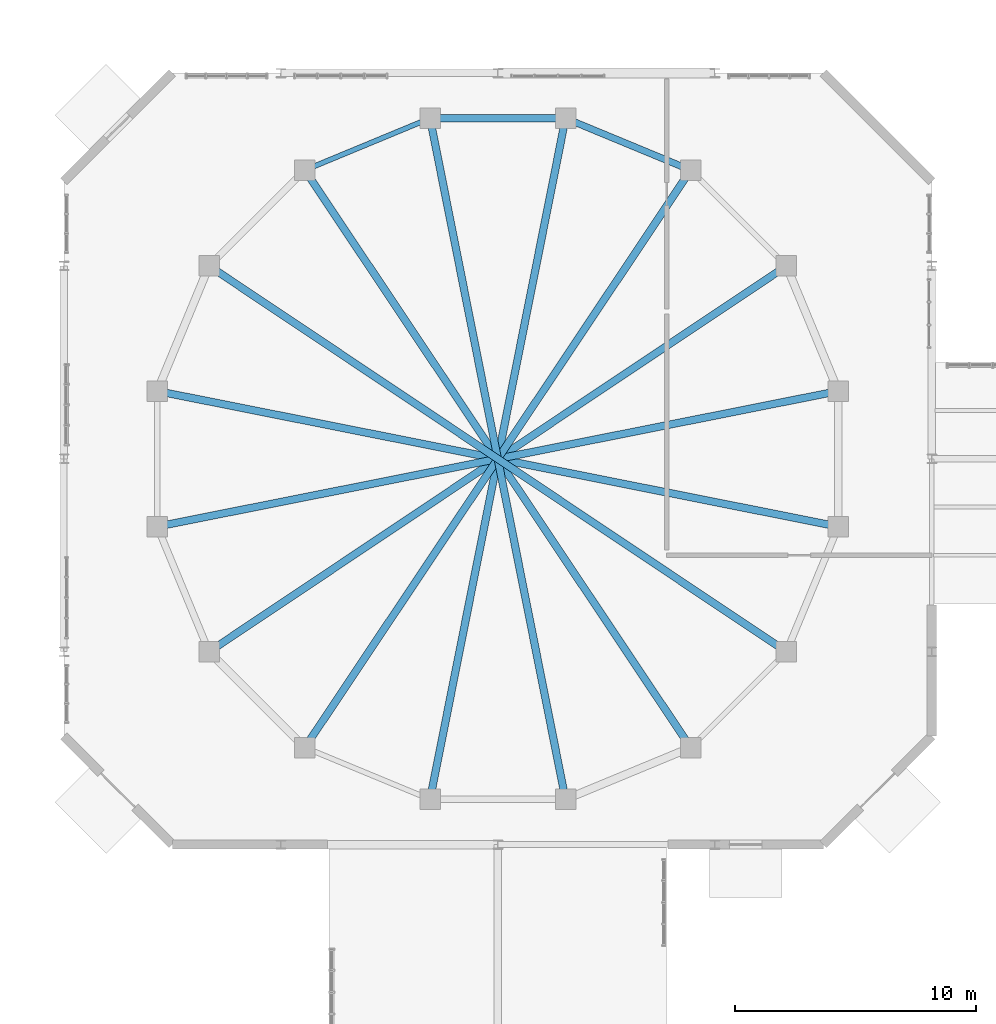
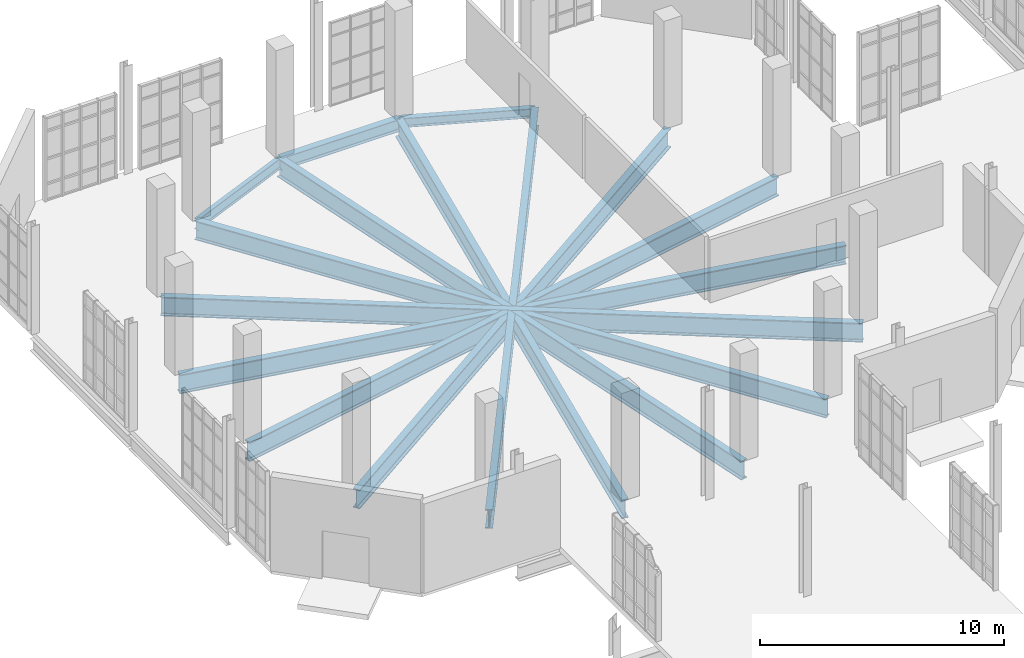
# One storey, part 82 of 189: 11 beams.
"""IFC4 building model written with IfcOpenShell, lengths in metres."""

from ifc_helpers import new_model, si_unit, direction, frame, origin, origin_2d, place, context, subcontext, project, spatial, i_section, extrude, material, material_profile, profile_set, type_object, element, save


model = new_model("IFC4")

# Units and contexts
model_context = context("Model", 3, precision=1e-05, world=origin(), true_north=direction((0.0, 1.0)))
body_context = subcontext(model_context, "Body", "Model", "MODEL_VIEW")
ifc_project = project(units=[si_unit("LENGTHUNIT", "METRE"), si_unit("AREAUNIT", "SQUARE_METRE"), si_unit("VOLUMEUNIT", "CUBIC_METRE"), si_unit("PLANEANGLEUNIT", "RADIAN"), si_unit("MASSUNIT", "GRAM", prefix="KILO"), si_unit("THERMODYNAMICTEMPERATUREUNIT", "KELVIN"), si_unit("POWERUNIT", "WATT")], contexts=[model_context])

# Site, building, storey
site_placement = place(None, origin())
site = spatial("IfcSite", under=ifc_project, at=site_placement, CompositionType="ELEMENT")
building_placement = place(site_placement, origin())
building = spatial("IfcBuilding", under=site, at=building_placement, Name="Zelmaris Science Centre", CompositionType="ELEMENT")
storey_placement = place(building_placement, origin())
storey = spatial("IfcBuildingStorey", under=building, at=storey_placement, Name="L00", CompositionType="ELEMENT", Elevation=0.0)

# Beams
ifc_material = material(Name="Steel ASTM A992 Grade 50", Category="steel")
ifc_material_profile_1 = material_profile(ifc_material, i_section(OverallWidth=0.31005859375, OverallDepth=0.949951171875, WebThickness=0.0244140625, FlangeThickness=0.0439453125, FilletRadius=0.02392578125, at=origin_2d()), Name="W36X256")
ifc_profile_set_1 = profile_set([ifc_material_profile_1], Name="Steel ASTM A992 Grade 50")
beam_type_1 = type_object("IfcBeamType", Name="Beam G-01 W36X256", PredefinedType="BEAM", material=ifc_profile_set_1)
for number, where, z_axis, x_axis, name in (
    (1, (41.123291015625, 74.809326171875, -0.7548828125), (-0.980784896113, -0.195092253964, 0.0), (0.195092253964, -0.980784896113, 0.0), "L00 Planetarium clear-span girder 1"),
    (2, (38.97314453125, 80.000244140625, -0.7548828125), (-0.831468177203, -0.555572380791, 0.0), (0.555572380791, -0.831468177203, 0.0), "L00 Planetarium clear-span girder 2"),
    (3, (35.000244140625, 83.97314453125, -0.7548828125), (-0.555572380791, -0.831468177203, 0.0), (0.831468177203, -0.555572380791, 0.0), "L00 Planetarium clear-span girder 3"),
    (4, (29.809326171875, 86.123291015625, -0.7548828125), (-0.195092253964, -0.980784896113, 0.0), (0.980784896113, -0.195092253964, 0.0), "L00 Planetarium clear-span girder 4"),
    (5, (24.190673828125, 86.123291015625, -0.7548828125), (0.195092253964, -0.980784896113, 0.0), (0.980784896113, 0.195092253964, 0.0), "L00 Planetarium clear-span girder 5"),
    (6, (18.999755859375, 83.97314453125, -0.7548828125), (0.555572380791, -0.831468177203, 0.0), (0.831468177203, 0.555572380791, 0.0), "L00 Planetarium clear-span girder 6"),
    (7, (15.02685546875, 80.000244140625, -0.7548828125), (0.831468177203, -0.555572380791, 0.0), (0.555572380791, 0.831468177203, 0.0), "L00 Planetarium clear-span girder 7"),
    (8, (12.876708984375, 74.809326171875, -0.7548828125), (0.980784896113, -0.195092253964, 0.0), (0.195092253964, 0.980784896113, 0.0), "L00 Planetarium clear-span girder 8"),
):
    element("IfcBeam", number, at=place(storey_placement, frame(where, z_axis=z_axis, x_axis=x_axis)), inside=storey, type_object=beam_type_1, Name=name, PredefinedType="BEAM", context=body_context, shape_type="SweptSolid", body=[
        extrude(i_section(OverallWidth=0.31005859375, OverallDepth=0.949951171875, WebThickness=0.0244140625, FlangeThickness=0.0439453125, FilletRadius=0.02392578125, at=origin_2d()), origin(), (0.0, 0.0, 1.0), 28.800048828125),
    ])
ifc_material_profile_2 = material_profile(ifc_material, i_section(OverallWidth=0.324951171875, OverallDepth=0.612060546875, WebThickness=0.0126953125, FlangeThickness=0.01904296875, FilletRadius=0.014892578125, at=origin_2d()), Name="W24X104")
ifc_profile_set_2 = profile_set([ifc_material_profile_2], Name="Steel ASTM A992 Grade 50")
beam_type_2 = type_object("IfcBeamType", Name="Beam SP-01 W24X104", PredefinedType="SPANDREL", material=ifc_profile_set_2)
beam_1_placement = place(storey_placement, frame((29.809326171875, 86.123291015625, -0.5859375), z_axis=(-1.0, 0.0, 0.0), x_axis=(0.0, -1.0, 0.0)))
element("IfcBeam", 9, at=beam_1_placement, inside=storey, type_object=beam_type_2, Name="L00 Planetarium drum ring beam 4", PredefinedType="SPANDREL", context=body_context, shape_type="SweptSolid", body=[
    extrude(i_section(OverallWidth=0.324951171875, OverallDepth=0.612060546875, WebThickness=0.0126953125, FlangeThickness=0.01904296875, FilletRadius=0.014892578125, at=origin_2d()), origin(), (0.0, 0.0, 1.0), 5.61865234375),
])
ifc_material_profile_3 = material_profile(ifc_material, i_section(OverallWidth=0.2109375, OverallDepth=0.5380859375, WebThickness=0.01171875, FlangeThickness=0.018798828125, FilletRadius=0.013916015625, at=origin_2d()), Name="W21X73")
ifc_profile_set_3 = profile_set([ifc_material_profile_3], Name="Steel ASTM A992 Grade 50")
beam_type_3 = type_object("IfcBeamType", Name="Beam SP-02 W21X73", PredefinedType="SPANDREL", material=ifc_profile_set_3)
beam_2_placement = place(storey_placement, frame((24.190673828125, 86.123291015625, -0.549072265625), z_axis=(-0.923879667137, -0.38268310735, 0.0), x_axis=(0.38268310735, -0.923879667137, 0.0)))
element("IfcBeam", 10, at=beam_2_placement, inside=storey, type_object=beam_type_3, Name="L00 Planetarium drum ring beam 5", PredefinedType="SPANDREL", context=body_context, shape_type="SweptSolid", body=[
    extrude(i_section(OverallWidth=0.2109375, OverallDepth=0.5380859375, WebThickness=0.01171875, FlangeThickness=0.018798828125, FilletRadius=0.013916015625, at=origin_2d()), origin(), (0.0, 0.0, 1.0), 5.61865234375),
])
ifc_material_profile_4 = material_profile(ifc_material, i_section(OverallWidth=0.279052734375, OverallDepth=0.4619140625, WebThickness=0.0107421875, FlangeThickness=0.017333984375, FilletRadius=0.012939453125, at=origin_2d()), Name="W18X76")
ifc_profile_set_4 = profile_set([ifc_material_profile_4], Name="Steel ASTM A992 Grade 50")
beam_type_4 = type_object("IfcBeamType", Name="Beam SP-03 W18X76", PredefinedType="SPANDREL", material=ifc_profile_set_4)
beam_3_placement = place(storey_placement, frame((35.000244140625, 83.97314453125, -0.510986328125), z_axis=(-0.923879667137, 0.38268310735, 0.0), x_axis=(-0.38268310735, -0.923879667137, 0.0)))
element("IfcBeam", 11, at=beam_3_placement, inside=storey, type_object=beam_type_4, Name="L00 Planetarium drum ring beam 3", PredefinedType="SPANDREL", context=body_context, shape_type="SweptSolid", body=[
    extrude(i_section(OverallWidth=0.279052734375, OverallDepth=0.4619140625, WebThickness=0.0107421875, FlangeThickness=0.017333984375, FilletRadius=0.012939453125, at=origin_2d()), origin(), (0.0, 0.0, 1.0), 5.61865234375),
])

save(model, "model.ifc")
